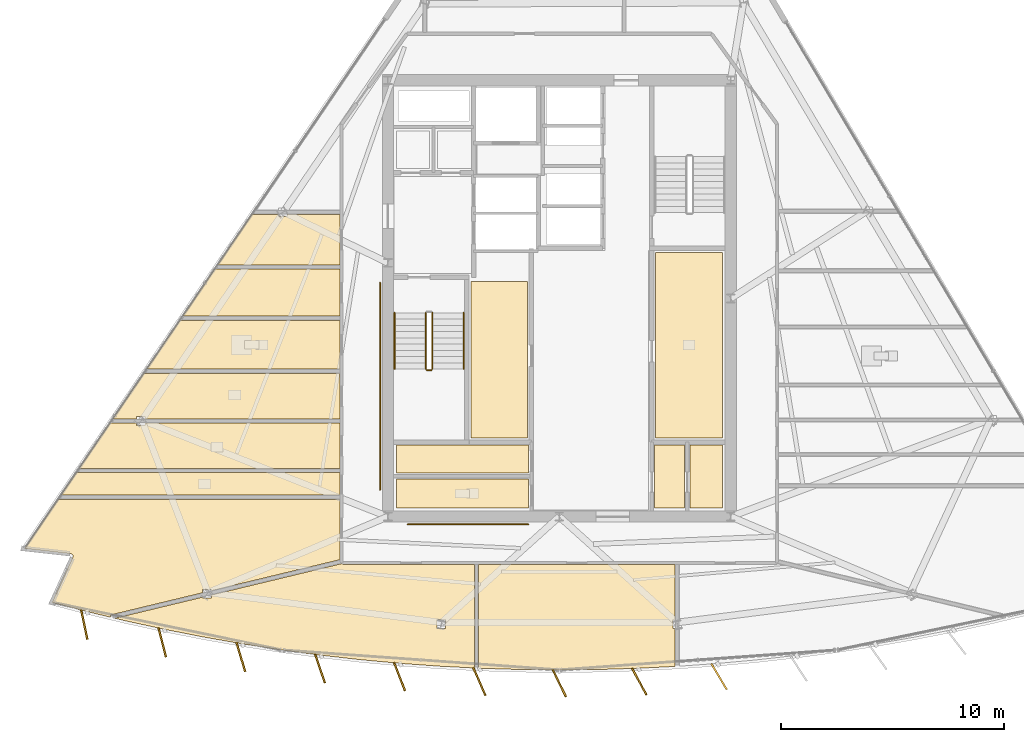
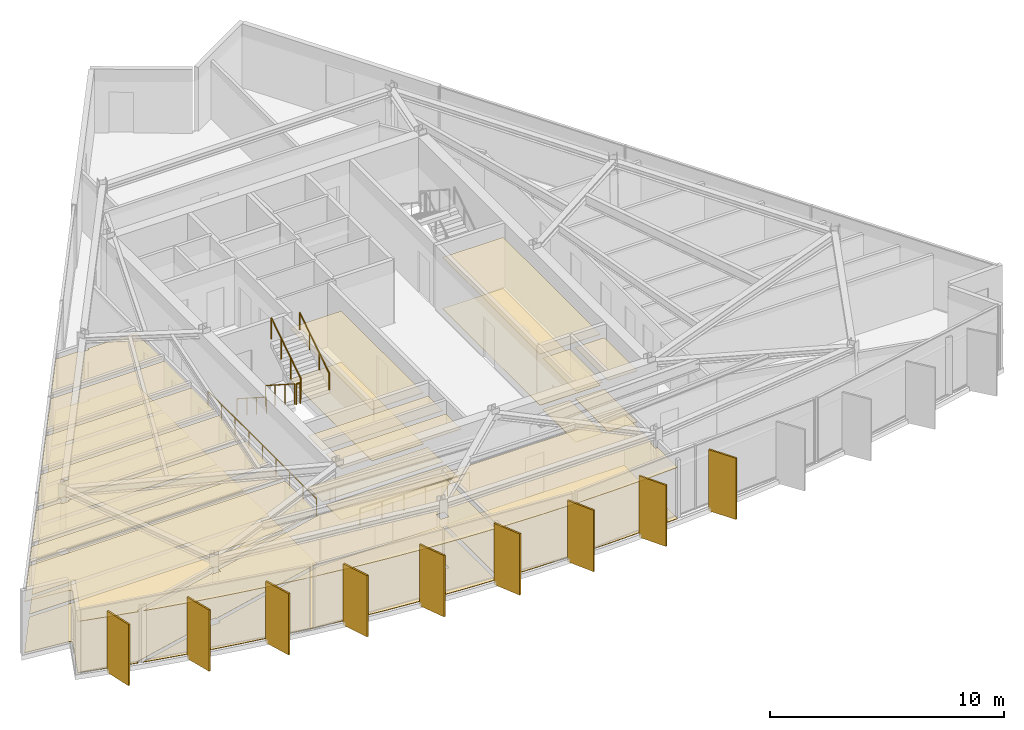
# One storey, part 10 of 13: 30 coverings, 9 shading devices, 7 railings.
"""IFC4 building model written with IfcOpenShell, lengths in metres."""

from ifc_helpers import new_model, si_unit, direction, frame, origin, origin_2d, place, context, subcontext, project, spatial, polyline, rectangle, circle, outline, extrude, material, layer, layer_set, type_object, element, save


model = new_model("IFC4")

# Units and contexts
model_context = context("Model", 3, precision=1e-05, world=origin(), true_north=direction((0.0, 1.0)))
body_context = subcontext(model_context, "Body", "Model", "MODEL_VIEW")
ifc_project = project(units=[si_unit("LENGTHUNIT", "METRE"), si_unit("AREAUNIT", "SQUARE_METRE"), si_unit("VOLUMEUNIT", "CUBIC_METRE"), si_unit("PLANEANGLEUNIT", "RADIAN"), si_unit("MASSUNIT", "GRAM", prefix="KILO")], contexts=[model_context])

# Site, building, storey
site_placement = place(None, origin())
site = spatial("IfcSite", under=ifc_project, at=site_placement, CompositionType="ELEMENT")
building_placement = place(site_placement, origin())
building = spatial("IfcBuilding", under=site, at=building_placement, Name="Savorim Split Tower", CompositionType="ELEMENT")
storey_placement = place(building_placement, frame((0.0, 0.0, 254.39990234375)))
storey = spatial("IfcBuildingStorey", under=building, at=storey_placement, Name="L67", CompositionType="ELEMENT", Elevation=254.39990234375)

# Coverings
ifc_material_1 = material(Name="Mineral Fibre Acoustic Ceiling")
ifc_layer_1 = layer(ifc_material_1, 0.02490234375)
ifc_layer_set_1 = layer_set([ifc_layer_1], Name="COV-CEIL-25")
covering_type_1 = type_object("IfcCoveringType", Name="COV-CEIL-25", PredefinedType="CEILING", material=ifc_layer_set_1)
covering_1_placement = place(storey_placement, frame((0.0, 0.0, 2.670166015625)))
element("IfcCovering", 1, at=covering_1_placement, inside=storey, type_object=covering_type_1, Name="L67 Community Laundry Room Acoustic Ceiling", PredefinedType="CEILING", context=body_context, shape_type="SweptSolid", body=[
    extrude(outline(polyline([(4.330078125, 2.469970703125), (4.330078125, -5.8701171875), (7.320068359375, -5.8701171875), (7.320068359375, 2.469970703125), (4.330078125, 2.469970703125)])), origin(), (0.0, 0.0, 1.0), 0.02490234375),
])
covering_2_placement = place(storey_placement, frame((0.0, 0.0, 2.670166015625)))
element("IfcCovering", 2, at=covering_2_placement, inside=storey, type_object=covering_type_1, Name="L67 Quiet Study Room Acoustic Ceiling", PredefinedType="CEILING", context=body_context, shape_type="SweptSolid", body=[
    extrude(outline(polyline([(-3.969970703125, 1.169921875), (-3.969970703125, -5.8701171875), (-1.429931640625, -5.8701171875), (-1.429931640625, 1.169921875), (-3.969970703125, 1.169921875)])), origin(), (0.0, 0.0, 1.0), 0.02490234375),
])
covering_3_placement = place(storey_placement, frame((0.0, 0.0, 2.670166015625)))
element("IfcCovering", 3, at=covering_3_placement, inside=storey, type_object=covering_type_1, Name="L67 Cleaning Store Acoustic Ceiling", PredefinedType="CEILING", context=body_context, shape_type="SweptSolid", body=[
    extrude(outline(polyline([(-7.320068359375, -6.179931640625), (-7.320068359375, -7.43994140625), (-1.3798828125, -7.43994140625), (-1.3798828125, -6.179931640625), (-7.320068359375, -6.179931640625)])), origin(), (0.0, 0.0, 1.0), 0.02490234375),
])
covering_4_placement = place(storey_placement, frame((0.0, 0.0, 2.670166015625)))
element("IfcCovering", 4, at=covering_4_placement, inside=storey, type_object=covering_type_1, Name="L67 Public WC Acoustic Ceiling", PredefinedType="CEILING", context=body_context, shape_type="SweptSolid", body=[
    extrude(outline(polyline([(-7.320068359375, -7.719970703125), (-7.320068359375, -9.02001953125), (-1.3798828125, -9.02001953125), (-1.3798828125, -7.719970703125), (-7.320068359375, -7.719970703125)])), origin(), (0.0, 0.0, 1.0), 0.02490234375),
])
covering_5_placement = place(storey_placement, frame((0.0, 0.0, 2.670166015625)))
element("IfcCovering", 5, at=covering_5_placement, inside=storey, type_object=covering_type_1, Name="L67 Vending Pantry Acoustic Ceiling", PredefinedType="CEILING", context=body_context, shape_type="SweptSolid", body=[
    extrude(outline(polyline([(4.280029296875, -6.179931640625), (4.280029296875, -9.02001953125), (5.6201171875, -9.02001953125), (5.6201171875, -6.179931640625), (4.280029296875, -6.179931640625)])), origin(), (0.0, 0.0, 1.0), 0.02490234375),
])
covering_6_placement = place(storey_placement, frame((0.0, 0.0, 2.670166015625)))
element("IfcCovering", 6, at=covering_6_placement, inside=storey, type_object=covering_type_1, Name="L67 Recycling Chute Room Acoustic Ceiling", PredefinedType="CEILING", context=body_context, shape_type="SweptSolid", body=[
    extrude(outline(polyline([(5.8798828125, -6.179931640625), (5.8798828125, -9.02001953125), (7.320068359375, -9.02001953125), (7.320068359375, -6.179931640625), (5.8798828125, -6.179931640625)])), origin(), (0.0, 0.0, 1.0), 0.02490234375),
])
covering_7_placement = place(storey_placement, frame((0.0, 0.0, 2.670166015625)))
element("IfcCovering", 7, at=covering_7_placement, inside=storey, type_object=covering_type_1, Name="L67 Shared Bathroom Acoustic Ceiling", PredefinedType="CEILING", context=body_context, shape_type="SweptSolid", body=[
    extrude(outline(polyline([(-17.040771484375, -0.587890625), (-18.5302734375, -2.777587890625), (-9.840087890625, -2.777587890625), (-9.840087890625, -0.587890625), (-17.040771484375, -0.587890625)])), origin(), (0.0, 0.0, 1.0), 0.02490234375),
])
covering_8_placement = place(storey_placement, frame((0.0, 0.0, 2.670166015625)))
element("IfcCovering", 8, at=covering_8_placement, inside=storey, type_object=covering_type_1, Name="L67 Shared Kitchen Acoustic Ceiling", PredefinedType="CEILING", context=body_context, shape_type="SweptSolid", body=[
    extrude(outline(polyline([(-18.597412109375, -4.909912109375), (-18.597412109375, -5.010986328125), (-9.840087890625, -5.010986328125), (-9.840087890625, -2.967529296875), (-18.65966796875, -2.967529296875), (-20.0498046875, -5.010986328125), (-18.9912109375, -5.010986328125), (-18.9912109375, -4.909912109375), (-18.597412109375, -4.909912109375)])), origin(), (0.0, 0.0, 1.0), 0.02490234375),
])
covering_9_placement = place(storey_placement, frame((0.0, 0.0, 2.670166015625)))
element("IfcCovering", 9, at=covering_9_placement, inside=storey, type_object=covering_type_1, Name="L67 Shared Kitchen Acoustic Ceiling", PredefinedType="CEILING", context=body_context, shape_type="SweptSolid", body=[
    extrude(outline(polyline([(-20.0537109375, -5.200927734375), (-20.148681640625, -5.200927734375), (-20.148681640625, -5.156494140625), (-21.56396484375, -7.237060546875), (-9.840087890625, -7.237060546875), (-9.840087890625, -5.200927734375), (-18.597412109375, -5.200927734375), (-18.597412109375, -5.302001953125), (-18.9912109375, -5.302001953125), (-18.9912109375, -5.200927734375), (-20.0537109375, -5.200927734375)])), origin(), (0.0, 0.0, 1.0), 0.02490234375),
])
covering_10_placement = place(storey_placement, frame((0.0, 0.0, 2.670166015625)))
element("IfcCovering", 10, at=covering_10_placement, inside=storey, type_object=covering_type_1, Name="L67 Community Laundry Room Acoustic Ceiling", PredefinedType="CEILING", context=body_context, shape_type="SweptSolid", body=[
    extrude(outline(polyline([(-9.840087890625, -8.434814453125), (-9.840087890625, -7.427001953125), (-21.693359375, -7.427001953125), (-22.37890625, -8.434814453125), (-9.840087890625, -8.434814453125)])), origin(), (0.0, 0.0, 1.0), 0.02490234375),
])
covering_11_placement = place(storey_placement, frame((0.0, 0.0, 2.670166015625)))
element("IfcCovering", 11, at=covering_11_placement, inside=storey, type_object=covering_type_1, Name="L67 Co-Working Commons Acoustic Ceiling", PredefinedType="CEILING", context=body_context, shape_type="SweptSolid", body=[
    extrude(outline(polyline([(-21.83837890625, -11.18408203125), (-21.839111328125, -11.196044921875), (-21.84130859375, -11.2080078125), (-21.8447265625, -11.21923828125), (-21.84912109375, -11.23046875), (-22.7783203125, -13.2529296875), (-21.18994140625, -13.668212890625), (-20.14453125, -13.9189453125), (-20.16845703125, -13.819091796875), (-16.013671875, -12.81787109375), (-16.013671875, -12.672119140625), (-15.61962890625, -12.672119140625), (-15.61962890625, -12.722900390625), (-9.859375, -11.334716796875), (-9.840087890625, -11.330078125), (-9.840087890625, -8.624755859375), (-22.508056640625, -8.624755859375), (-24.0087890625, -10.83056640625), (-21.94482421875, -11.06103515625), (-21.93310546875, -11.06298828125), (-21.921630859375, -11.06591796875), (-21.910400390625, -11.0703125), (-21.899658203125, -11.075439453125), (-21.8896484375, -11.081787109375), (-21.880126953125, -11.089111328125), (-21.87158203125, -11.097412109375), (-21.86376953125, -11.1064453125), (-21.856689453125, -11.1162109375), (-21.850830078125, -11.12646484375), (-21.84619140625, -11.137451171875), (-21.84228515625, -11.148681640625), (-21.83984375, -11.160400390625), (-21.83837890625, -11.17236328125), (-21.83837890625, -11.18408203125)])), origin(), (0.0, 0.0, 1.0), 0.02490234375),
])
covering_12_placement = place(storey_placement, frame((0.0, 0.0, 2.670166015625)))
element("IfcCovering", 12, at=covering_12_placement, inside=storey, type_object=covering_type_1, Name="L67 Maker Workshop Acoustic Ceiling", PredefinedType="CEILING", context=body_context, shape_type="SweptSolid", body=[
    extrude(outline(polyline([(-8.90283203125, -15.827392578125), (-7.126953125, -15.991455078125), (-5.34765625, -16.118896484375), (-3.813720703125, -16.197509765625), (-3.813720703125, -11.5400390625), (-9.699951171875, -11.5400390625), (-9.713623046875, -11.539306640625), (-9.727294921875, -11.537353515625), (-9.740478515625, -11.533935546875), (-9.753662109375, -11.529296875), (-9.76611328125, -11.5234375), (-9.77783203125, -11.516357421875), (-9.78369140625, -11.51220703125), (-15.61962890625, -12.91845703125), (-15.61962890625, -13.064208984375), (-16.013671875, -13.064208984375), (-16.013671875, -13.013427734375), (-19.95751953125, -13.9638671875), (-19.45556640625, -14.084228515625), (-17.712890625, -14.464599609375), (-15.962646484375, -14.80908203125), (-14.2060546875, -15.117919921875), (-12.443359375, -15.390380859375), (-10.67529296875, -15.626953125), (-8.90283203125, -15.827392578125)]), holes=[polyline([(-5.498046875, -14.414306640625), (-5.10400390625, -14.414306640625), (-5.10400390625, -14.0224609375), (-5.498046875, -14.0224609375), (-5.498046875, -14.414306640625)])]), origin(), (0.0, 0.0, 1.0), 0.02490234375),
])
covering_13_placement = place(storey_placement, frame((0.0, 0.0, 2.670166015625)))
element("IfcCovering", 13, at=covering_13_placement, inside=storey, type_object=covering_type_1, Name="L67 Co-Working Commons Acoustic Ceiling", PredefinedType="CEILING", context=body_context, shape_type="SweptSolid", body=[
    extrude(outline(polyline([(-1.783447265625, -16.264892578125), (0.0, -16.283203125), (1.783447265625, -16.264892578125), (3.56640625, -16.210205078125), (5.2060546875, -16.126220703125), (5.2060546875, -14.414306640625), (5.10400390625, -14.414306640625), (5.10400390625, -14.0224609375), (5.2060546875, -14.0224609375), (5.2060546875, -11.5400390625), (-3.623779296875, -11.5400390625), (-3.623779296875, -16.207275390625), (-3.56640625, -16.210205078125), (-1.783447265625, -16.264892578125)])), origin(), (0.0, 0.0, 1.0), 0.02490234375),
])
covering_14_placement = place(storey_placement, frame((0.0, 0.0, 2.670166015625)))
element("IfcCovering", 14, at=covering_14_placement, inside=storey, type_object=covering_type_1, Name="L67 Co-Living Bedroom Acoustic Ceiling", PredefinedType="CEILING", context=body_context, shape_type="SweptSolid", body=[
    extrude(outline(polyline([(-12.615478515625, 4.17138671875), (-13.677978515625, 4.17138671875), (-13.773193359375, 4.17138671875), (-13.773193359375, 4.215576171875), (-15.342529296875, 1.90869140625), (-9.840087890625, 1.90869140625), (-9.840087890625, 4.17138671875), (-12.221435546875, 4.17138671875), (-12.221435546875, 4.0703125), (-12.615478515625, 4.0703125), (-12.615478515625, 4.17138671875)])), origin(), (0.0, 0.0, 1.0), 0.02490234375),
])
covering_15_placement = place(storey_placement, frame((0.0, 0.0, 2.670166015625)))
element("IfcCovering", 15, at=covering_15_placement, inside=storey, type_object=covering_type_1, Name="L67 Quiet Study Room Acoustic Ceiling", PredefinedType="CEILING", context=body_context, shape_type="SweptSolid", body=[
    extrude(outline(polyline([(-15.4716796875, 1.718505859375), (-16.91162109375, -0.39794921875), (-9.840087890625, -0.39794921875), (-9.840087890625, 1.718505859375), (-15.4716796875, 1.718505859375)])), origin(), (0.0, 0.0, 1.0), 0.02490234375),
])
ifc_material_2 = material(Name="Porcelain Stoneware Flooring", Category="masonry")
ifc_layer_2 = layer(ifc_material_2, 0.02001953125)
ifc_layer_set_2 = layer_set([ifc_layer_2], Name="COV-FLOR-20")
covering_type_2 = type_object("IfcCoveringType", Name="COV-FLOR-20", PredefinedType="FLOORING", material=ifc_layer_set_2)
covering_16_placement = place(storey_placement, origin())
element("IfcCovering", 16, at=covering_16_placement, inside=storey, type_object=covering_type_2, Name="L67 Community Laundry Room Porcelain Flooring", PredefinedType="FLOORING", context=body_context, shape_type="SweptSolid", body=[
    extrude(outline(polyline([(4.330078125, 2.469970703125), (4.330078125, -5.8701171875), (7.320068359375, -5.8701171875), (7.320068359375, 2.469970703125), (4.330078125, 2.469970703125)])), origin(), (0.0, 0.0, 1.0), 0.02001953125),
])
covering_17_placement = place(storey_placement, origin())
element("IfcCovering", 17, at=covering_17_placement, inside=storey, type_object=covering_type_2, Name="L67 Quiet Study Room Porcelain Flooring", PredefinedType="FLOORING", context=body_context, shape_type="SweptSolid", body=[
    extrude(outline(polyline([(-3.969970703125, 1.169921875), (-3.969970703125, -5.8701171875), (-1.429931640625, -5.8701171875), (-1.429931640625, 1.169921875), (-3.969970703125, 1.169921875)])), origin(), (0.0, 0.0, 1.0), 0.02001953125),
])
covering_18_placement = place(storey_placement, origin())
element("IfcCovering", 18, at=covering_18_placement, inside=storey, type_object=covering_type_2, Name="L67 Cleaning Store Porcelain Flooring", PredefinedType="FLOORING", context=body_context, shape_type="SweptSolid", body=[
    extrude(outline(polyline([(-7.320068359375, -6.179931640625), (-7.320068359375, -7.43994140625), (-1.3798828125, -7.43994140625), (-1.3798828125, -6.179931640625), (-7.320068359375, -6.179931640625)])), origin(), (0.0, 0.0, 1.0), 0.02001953125),
])
covering_19_placement = place(storey_placement, origin())
element("IfcCovering", 19, at=covering_19_placement, inside=storey, type_object=covering_type_2, Name="L67 Public WC Porcelain Flooring", PredefinedType="FLOORING", context=body_context, shape_type="SweptSolid", body=[
    extrude(outline(polyline([(-7.320068359375, -7.719970703125), (-7.320068359375, -9.02001953125), (-1.3798828125, -9.02001953125), (-1.3798828125, -7.719970703125), (-7.320068359375, -7.719970703125)])), origin(), (0.0, 0.0, 1.0), 0.02001953125),
])
covering_20_placement = place(storey_placement, origin())
element("IfcCovering", 20, at=covering_20_placement, inside=storey, type_object=covering_type_2, Name="L67 Vending Pantry Porcelain Flooring", PredefinedType="FLOORING", context=body_context, shape_type="SweptSolid", body=[
    extrude(outline(polyline([(4.280029296875, -6.179931640625), (4.280029296875, -9.02001953125), (5.6201171875, -9.02001953125), (5.6201171875, -6.179931640625), (4.280029296875, -6.179931640625)])), origin(), (0.0, 0.0, 1.0), 0.02001953125),
])
covering_21_placement = place(storey_placement, origin())
element("IfcCovering", 21, at=covering_21_placement, inside=storey, type_object=covering_type_2, Name="L67 Recycling Chute Room Porcelain Flooring", PredefinedType="FLOORING", context=body_context, shape_type="SweptSolid", body=[
    extrude(outline(polyline([(5.8798828125, -6.179931640625), (5.8798828125, -9.02001953125), (7.320068359375, -9.02001953125), (7.320068359375, -6.179931640625), (5.8798828125, -6.179931640625)])), origin(), (0.0, 0.0, 1.0), 0.02001953125),
])
covering_22_placement = place(storey_placement, origin())
element("IfcCovering", 22, at=covering_22_placement, inside=storey, type_object=covering_type_2, Name="L67 Shared Bathroom Porcelain Flooring", PredefinedType="FLOORING", context=body_context, shape_type="SweptSolid", body=[
    extrude(outline(polyline([(-17.040771484375, -0.587890625), (-18.5302734375, -2.777587890625), (-9.840087890625, -2.777587890625), (-9.840087890625, -0.587890625), (-17.040771484375, -0.587890625)])), origin(), (0.0, 0.0, 1.0), 0.02001953125),
])
covering_23_placement = place(storey_placement, origin())
element("IfcCovering", 23, at=covering_23_placement, inside=storey, type_object=covering_type_2, Name="L67 Shared Kitchen Porcelain Flooring", PredefinedType="FLOORING", context=body_context, shape_type="SweptSolid", body=[
    extrude(outline(polyline([(-18.597412109375, -4.909912109375), (-18.597412109375, -5.010986328125), (-9.840087890625, -5.010986328125), (-9.840087890625, -2.967529296875), (-18.65966796875, -2.967529296875), (-20.0498046875, -5.010986328125), (-18.9912109375, -5.010986328125), (-18.9912109375, -4.909912109375), (-18.597412109375, -4.909912109375)])), origin(), (0.0, 0.0, 1.0), 0.02001953125),
])
covering_24_placement = place(storey_placement, origin())
element("IfcCovering", 24, at=covering_24_placement, inside=storey, type_object=covering_type_2, Name="L67 Shared Kitchen Porcelain Flooring", PredefinedType="FLOORING", context=body_context, shape_type="SweptSolid", body=[
    extrude(outline(polyline([(-20.0537109375, -5.200927734375), (-20.148681640625, -5.200927734375), (-20.148681640625, -5.156494140625), (-21.56396484375, -7.237060546875), (-9.840087890625, -7.237060546875), (-9.840087890625, -5.200927734375), (-18.597412109375, -5.200927734375), (-18.597412109375, -5.302001953125), (-18.9912109375, -5.302001953125), (-18.9912109375, -5.200927734375), (-20.0537109375, -5.200927734375)])), origin(), (0.0, 0.0, 1.0), 0.02001953125),
])
covering_25_placement = place(storey_placement, origin())
element("IfcCovering", 25, at=covering_25_placement, inside=storey, type_object=covering_type_2, Name="L67 Community Laundry Room Porcelain Flooring", PredefinedType="FLOORING", context=body_context, shape_type="SweptSolid", body=[
    extrude(outline(polyline([(-9.840087890625, -8.434814453125), (-9.840087890625, -7.427001953125), (-21.693359375, -7.427001953125), (-22.37890625, -8.434814453125), (-9.840087890625, -8.434814453125)])), origin(), (0.0, 0.0, 1.0), 0.02001953125),
])
covering_26_placement = place(storey_placement, origin())
element("IfcCovering", 26, at=covering_26_placement, inside=storey, type_object=covering_type_2, Name="L67 Co-Working Commons Porcelain Flooring", PredefinedType="FLOORING", context=body_context, shape_type="SweptSolid", body=[
    extrude(outline(polyline([(-21.83837890625, -11.18408203125), (-21.839111328125, -11.196044921875), (-21.84130859375, -11.2080078125), (-21.8447265625, -11.21923828125), (-21.84912109375, -11.23046875), (-22.7783203125, -13.2529296875), (-21.18994140625, -13.668212890625), (-20.14453125, -13.9189453125), (-20.16845703125, -13.819091796875), (-16.013671875, -12.81787109375), (-16.013671875, -12.672119140625), (-15.61962890625, -12.672119140625), (-15.61962890625, -12.722900390625), (-9.859375, -11.334716796875), (-9.840087890625, -11.330078125), (-9.840087890625, -8.624755859375), (-22.508056640625, -8.624755859375), (-24.0087890625, -10.83056640625), (-21.94482421875, -11.06103515625), (-21.93310546875, -11.06298828125), (-21.921630859375, -11.06591796875), (-21.910400390625, -11.0703125), (-21.899658203125, -11.075439453125), (-21.8896484375, -11.081787109375), (-21.880126953125, -11.089111328125), (-21.87158203125, -11.097412109375), (-21.86376953125, -11.1064453125), (-21.856689453125, -11.1162109375), (-21.850830078125, -11.12646484375), (-21.84619140625, -11.137451171875), (-21.84228515625, -11.148681640625), (-21.83984375, -11.160400390625), (-21.83837890625, -11.17236328125), (-21.83837890625, -11.18408203125)])), origin(), (0.0, 0.0, 1.0), 0.02001953125),
])
covering_27_placement = place(storey_placement, origin())
element("IfcCovering", 27, at=covering_27_placement, inside=storey, type_object=covering_type_2, Name="L67 Maker Workshop Porcelain Flooring", PredefinedType="FLOORING", context=body_context, shape_type="SweptSolid", body=[
    extrude(outline(polyline([(-8.90283203125, -15.827392578125), (-7.126953125, -15.991455078125), (-5.34765625, -16.118896484375), (-3.813720703125, -16.197509765625), (-3.813720703125, -11.5400390625), (-9.699951171875, -11.5400390625), (-9.713623046875, -11.539306640625), (-9.727294921875, -11.537353515625), (-9.740478515625, -11.533935546875), (-9.753662109375, -11.529296875), (-9.76611328125, -11.5234375), (-9.77783203125, -11.516357421875), (-9.78369140625, -11.51220703125), (-15.61962890625, -12.91845703125), (-15.61962890625, -13.064208984375), (-16.013671875, -13.064208984375), (-16.013671875, -13.013427734375), (-19.95751953125, -13.9638671875), (-19.45556640625, -14.084228515625), (-17.712890625, -14.464599609375), (-15.962646484375, -14.80908203125), (-14.2060546875, -15.117919921875), (-12.443359375, -15.390380859375), (-10.67529296875, -15.626953125), (-8.90283203125, -15.827392578125)]), holes=[polyline([(-5.498046875, -14.414306640625), (-5.10400390625, -14.414306640625), (-5.10400390625, -14.0224609375), (-5.498046875, -14.0224609375), (-5.498046875, -14.414306640625)])]), origin(), (0.0, 0.0, 1.0), 0.02001953125),
])
covering_28_placement = place(storey_placement, origin())
element("IfcCovering", 28, at=covering_28_placement, inside=storey, type_object=covering_type_2, Name="L67 Co-Working Commons Porcelain Flooring", PredefinedType="FLOORING", context=body_context, shape_type="SweptSolid", body=[
    extrude(outline(polyline([(-1.783447265625, -16.264892578125), (0.0, -16.283203125), (1.783447265625, -16.264892578125), (3.56640625, -16.210205078125), (5.2060546875, -16.126220703125), (5.2060546875, -14.414306640625), (5.10400390625, -14.414306640625), (5.10400390625, -14.0224609375), (5.2060546875, -14.0224609375), (5.2060546875, -11.5400390625), (-3.623779296875, -11.5400390625), (-3.623779296875, -16.207275390625), (-3.56640625, -16.210205078125), (-1.783447265625, -16.264892578125)])), origin(), (0.0, 0.0, 1.0), 0.02001953125),
])
covering_29_placement = place(storey_placement, origin())
element("IfcCovering", 29, at=covering_29_placement, inside=storey, type_object=covering_type_2, Name="L67 Co-Living Bedroom Porcelain Flooring", PredefinedType="FLOORING", context=body_context, shape_type="SweptSolid", body=[
    extrude(outline(polyline([(-12.615478515625, 4.17138671875), (-13.677978515625, 4.17138671875), (-13.773193359375, 4.17138671875), (-13.773193359375, 4.215576171875), (-15.342529296875, 1.90869140625), (-9.840087890625, 1.90869140625), (-9.840087890625, 4.17138671875), (-12.221435546875, 4.17138671875), (-12.221435546875, 4.0703125), (-12.615478515625, 4.0703125), (-12.615478515625, 4.17138671875)])), origin(), (0.0, 0.0, 1.0), 0.02001953125),
])
covering_30_placement = place(storey_placement, origin())
element("IfcCovering", 30, at=covering_30_placement, inside=storey, type_object=covering_type_2, Name="L67 Quiet Study Room Porcelain Flooring", PredefinedType="FLOORING", context=body_context, shape_type="SweptSolid", body=[
    extrude(outline(polyline([(-15.4716796875, 1.718505859375), (-16.91162109375, -0.39794921875), (-9.840087890625, -0.39794921875), (-9.840087890625, 1.718505859375), (-15.4716796875, 1.718505859375)])), origin(), (0.0, 0.0, 1.0), 0.02001953125),
])

# Railings
ifc_material_3 = material(Name="Galvanised Painted Steel Balustrade", Category="steel")
railing_type_1 = type_object("IfcRailingType", Name="RLG-HR-900", PredefinedType="HANDRAIL", material=ifc_material_3)
railing_1_placement = place(storey_placement, frame((-7.39990234375, -0.25, 0.18017578125)))
element("IfcRailing", 31, at=railing_1_placement, inside=storey, type_object=railing_type_1, Name="L67 ST-1 stair handrail 1", PredefinedType="HANDRAIL", context=body_context, shape_type="SweptSolid", body=[
    extrude(circle(Radius=0.02392578125, at=origin_2d()), frame((0.0, 0.0, 0.8759765625), z_axis=(0.0, -0.841199657755, 0.540724639528), x_axis=(1.0, 0.0, 0.0)), (0.0, 0.0, 1.0), 2.995849609375),
    extrude(circle(Radius=0.02099609375, at=origin_2d()), origin(), (0.0, 0.0, 1.0), 0.851806640625),
    extrude(circle(Radius=0.02099609375, at=origin_2d()), frame((0.0, -0.840087890625, 0.5400390625)), (0.0, 0.0, 1.0), 0.851806640625),
    extrude(circle(Radius=0.02099609375, at=origin_2d()), frame((0.0, -1.679931640625, 1.079833984375)), (0.0, 0.0, 1.0), 0.851806640625),
    extrude(circle(Radius=0.02099609375, at=origin_2d()), frame((0.0, -2.52001953125, 1.619873046875)), (0.0, 0.0, 1.0), 0.851806640625),
])
railing_2_placement = place(storey_placement, frame((-4.300048828125, -2.77001953125, 1.97998046875)))
element("IfcRailing", 32, at=railing_2_placement, inside=storey, type_object=railing_type_1, Name="L67 ST-1 stair handrail 2", PredefinedType="HANDRAIL", context=body_context, shape_type="SweptSolid", body=[
    extrude(circle(Radius=0.02392578125, at=origin_2d()), frame((0.0, 0.0, 0.8759765625), z_axis=(0.0, 0.841162588446, 0.540782303519), x_axis=(-1.0, 0.0, 0.0)), (0.0, 0.0, 1.0), 2.995849609375),
    extrude(circle(Radius=0.02099609375, at=origin_2d()), origin(), (0.0, 0.0, 1.0), 0.851806640625),
    extrude(circle(Radius=0.02099609375, at=origin_2d()), frame((0.0, 0.840087890625, 0.5400390625)), (0.0, 0.0, 1.0), 0.851806640625),
    extrude(circle(Radius=0.02099609375, at=origin_2d()), frame((0.0, 1.679931640625, 1.080078125)), (0.0, 0.0, 1.0), 0.851806640625),
    extrude(circle(Radius=0.02099609375, at=origin_2d()), frame((0.0, 2.52001953125, 1.6201171875)), (0.0, 0.0, 1.0), 0.851806640625),
])
railing_3_placement = place(storey_placement, frame((-6.800048828125, -9.75, 0.0)))
element("IfcRailing", 33, at=railing_3_placement, inside=storey, type_object=railing_type_1, Name="L67 Corridor South Accessible Handrail", PredefinedType="HANDRAIL", context=body_context, shape_type="SweptSolid", body=[
    extrude(circle(Radius=0.02392578125, at=origin_2d()), frame((0.0, 0.0, 0.8759765625), z_axis=(1.0, 0.0, 0.0), x_axis=(0.0, 1.0, 0.0)), (0.0, 0.0, 1.0), 5.400146484375),
    extrude(circle(Radius=0.02099609375, at=origin_2d()), origin(), (0.0, 0.0, 1.0), 0.851806640625),
    extrude(circle(Radius=0.02099609375, at=origin_2d()), frame((1.080078125, 0.0, 0.0)), (0.0, 0.0, 1.0), 0.851806640625),
    extrude(circle(Radius=0.02099609375, at=origin_2d()), frame((2.16015625, 0.0, 0.0)), (0.0, 0.0, 1.0), 0.851806640625),
    extrude(circle(Radius=0.02099609375, at=origin_2d()), frame((3.239990234375, 0.0, 0.0)), (0.0, 0.0, 1.0), 0.851806640625),
    extrude(circle(Radius=0.02099609375, at=origin_2d()), frame((4.320068359375, 0.0, 0.0)), (0.0, 0.0, 1.0), 0.851806640625),
    extrude(circle(Radius=0.02099609375, at=origin_2d()), frame((5.400146484375, 0.0, 0.0)), (0.0, 0.0, 1.0), 0.851806640625),
])
railing_4_placement = place(storey_placement, frame((-8.050048828125, -8.199951171875, 0.0)))
element("IfcRailing", 34, at=railing_4_placement, inside=storey, type_object=railing_type_1, Name="L67 Corridor West Accessible Handrail", PredefinedType="HANDRAIL", context=body_context, shape_type="SweptSolid", body=[
    extrude(circle(Radius=0.02392578125, at=origin_2d()), frame((0.0, 0.0, 0.8759765625), z_axis=(0.0, 1.0, 0.0), x_axis=(-1.0, 0.0, 0.0)), (0.0, 0.0, 1.0), 9.300048828125),
    extrude(circle(Radius=0.02099609375, at=origin_2d()), origin(), (0.0, 0.0, 1.0), 0.851806640625),
    extrude(circle(Radius=0.02099609375, at=origin_2d()), frame((0.0, 1.16259765625, 0.0)), (0.0, 0.0, 1.0), 0.851806640625),
    extrude(circle(Radius=0.02099609375, at=origin_2d()), frame((0.0, 2.324951171875, 0.0)), (0.0, 0.0, 1.0), 0.851806640625),
    extrude(circle(Radius=0.02099609375, at=origin_2d()), frame((0.0, 3.487548828125, 0.0)), (0.0, 0.0, 1.0), 0.851806640625),
    extrude(circle(Radius=0.02099609375, at=origin_2d()), frame((0.0, 4.64990234375, 0.0)), (0.0, 0.0, 1.0), 0.851806640625),
    extrude(circle(Radius=0.02099609375, at=origin_2d()), frame((0.0, 5.8125, 0.0)), (0.0, 0.0, 1.0), 0.851806640625),
    extrude(circle(Radius=0.02099609375, at=origin_2d()), frame((0.0, 6.97509765625, 0.0)), (0.0, 0.0, 1.0), 0.851806640625),
    extrude(circle(Radius=0.02099609375, at=origin_2d()), frame((0.0, 8.137451171875, 0.0)), (0.0, 0.0, 1.0), 0.851806640625),
    extrude(circle(Radius=0.02099609375, at=origin_2d()), frame((0.0, 9.300048828125, 0.0)), (0.0, 0.0, 1.0), 0.851806640625),
])
railing_type_2 = type_object("IfcRailingType", Name="RLG-STG-1100", PredefinedType="BALUSTRADE", material=ifc_material_3)
railing_5_placement = place(storey_placement, frame((-6.0, -0.25, 0.18017578125)))
element("IfcRailing", 35, at=railing_5_placement, inside=storey, type_object=railing_type_2, Name="L67 ST-1 stair guard 1", PredefinedType="BALUSTRADE", context=body_context, shape_type="SweptSolid", body=[
    extrude(circle(Radius=0.02392578125, at=origin_2d()), frame((0.0, 0.0, 1.076171875), z_axis=(0.0, -0.841199657755, 0.540724639528), x_axis=(1.0, 0.0, 0.0)), (0.0, 0.0, 1.0), 2.995849609375),
    extrude(circle(Radius=0.02099609375, at=origin_2d()), origin(), (0.0, 0.0, 1.0), 1.052001953125),
    extrude(circle(Radius=0.02099609375, at=origin_2d()), frame((0.0, -0.840087890625, 0.5400390625)), (0.0, 0.0, 1.0), 1.052001953125),
    extrude(circle(Radius=0.02099609375, at=origin_2d()), frame((0.0, -1.679931640625, 1.079833984375)), (0.0, 0.0, 1.0), 1.052001953125),
    extrude(circle(Radius=0.02099609375, at=origin_2d()), frame((0.0, -2.52001953125, 1.619873046875)), (0.0, 0.0, 1.0), 1.052001953125),
])
railing_6_placement = place(storey_placement, frame((-5.949951171875, -2.820068359375, 1.800048828125)))
element("IfcRailing", 36, at=railing_6_placement, inside=storey, type_object=railing_type_2, Name="L67 ST-1 stair guard 2", PredefinedType="BALUSTRADE", context=body_context, shape_type="SweptSolid", body=[
    extrude(circle(Radius=0.02392578125, at=origin_2d()), frame((0.0, 0.0, 1.076171875), z_axis=(1.0, 0.0, 0.0), x_axis=(0.0, 1.0, 0.0)), (0.0, 0.0, 1.0), 0.199951171875),
    extrude(circle(Radius=0.02099609375, at=origin_2d()), origin(), (0.0, 0.0, 1.0), 1.052001953125),
    extrude(circle(Radius=0.02099609375, at=origin_2d()), frame((0.199951171875, 0.0, 0.0)), (0.0, 0.0, 1.0), 1.052001953125),
])
railing_7_placement = place(storey_placement, frame((-5.699951171875, -2.77001953125, 1.97998046875)))
element("IfcRailing", 37, at=railing_7_placement, inside=storey, type_object=railing_type_2, Name="L67 ST-1 stair guard 3", PredefinedType="BALUSTRADE", context=body_context, shape_type="SweptSolid", body=[
    extrude(circle(Radius=0.02392578125, at=origin_2d()), frame((0.0, 0.0, 1.076171875), z_axis=(0.0, 0.841162588446, 0.540782303519), x_axis=(-1.0, 0.0, 0.0)), (0.0, 0.0, 1.0), 2.995849609375),
    extrude(circle(Radius=0.02099609375, at=origin_2d()), origin(), (0.0, 0.0, 1.0), 1.052001953125),
    extrude(circle(Radius=0.02099609375, at=origin_2d()), frame((0.0, 0.840087890625, 0.5400390625)), (0.0, 0.0, 1.0), 1.052001953125),
    extrude(circle(Radius=0.02099609375, at=origin_2d()), frame((0.0, 1.679931640625, 1.080078125)), (0.0, 0.0, 1.0), 1.052001953125),
    extrude(circle(Radius=0.02099609375, at=origin_2d()), frame((0.0, 2.52001953125, 1.6201171875)), (0.0, 0.0, 1.0), 1.052001953125),
])

# Shading devices
ifc_material_4 = material(Name="Terracotta Ceramic-Coated Aluminium Fin", Category="masonry")
shading_device_type = type_object("IfcShadingDeviceType", Name="SHD-FIN-1360", PredefinedType="USERDEFINED", material=ifc_material_4)
for number, where, z_axis, x_axis, name in (
    (38, (-21.3349609375, -14.246337890625, -0.19970703125), (0.0, 0.0, 1.0), (0.206721626106, -0.978399800337, 0.0), "L67 Sawtooth Shading Fin 01"),
    (39, (-17.833984375, -15.048095703125, -0.19970703125), (0.0, 0.0, 1.0), (0.246581250663, -0.969122121727, 0.0), "L67 Sawtooth Shading Fin 02"),
    (40, (-14.302978515625, -15.705810546875, -0.19970703125), (0.0, 0.0, 1.0), (0.286026212504, -0.958221793616, 0.0), "L67 Sawtooth Shading Fin 03"),
    (41, (-10.748291015625, -16.218505859375, -0.19970703125), (0.0, 0.0, 1.0), (0.324993810493, -0.945716143005, 0.0), "L67 Sawtooth Shading Fin 04"),
    (42, (-7.175537109375, -16.58544921875, -0.19970703125), (0.0, 0.0, 1.0), (0.363415461732, -0.931627179817, 0.0), "L67 Sawtooth Shading Fin 05"),
    (43, (-3.5908203125, -16.8056640625, -0.19970703125), (0.0, 0.0, 1.0), (0.401230091723, -0.915977299662, 0.0), "L67 Sawtooth Shading Fin 06"),
    (44, (0.0, -16.879150390625, -0.19970703125), (0.0, 0.0, 1.0), (0.438371146789, -0.898794046299, 0.0), "L67 Sawtooth Shading Fin 07"),
    (45, (3.5908203125, -16.8056640625, -0.19970703125), (0.0, 0.0, 1.0), (0.474778051978, -0.880105562623, 0.0), "L67 Sawtooth Shading Fin 08"),
    (46, (7.175537109375, -16.58544921875, -0.19970703125), (0.0, 0.0, 1.0), (0.510391336723, -0.859942255851, 0.0), "L67 Sawtooth Shading Fin 09"),
):
    element("IfcShadingDevice", number, at=place(storey_placement, frame(where, z_axis=z_axis, x_axis=x_axis)), inside=storey, type_object=shading_device_type, Name=name, ObjectType="FIN", PredefinedType="USERDEFINED", context=body_context, shape_type="SweptSolid", body=[
        extrude(rectangle(XDim=1.360107421875, YDim=0.080078125, at=origin_2d()), origin(), (0.0, 0.0, 1.0), 3.199951171875),
    ])

save(model, "model.ifc")
